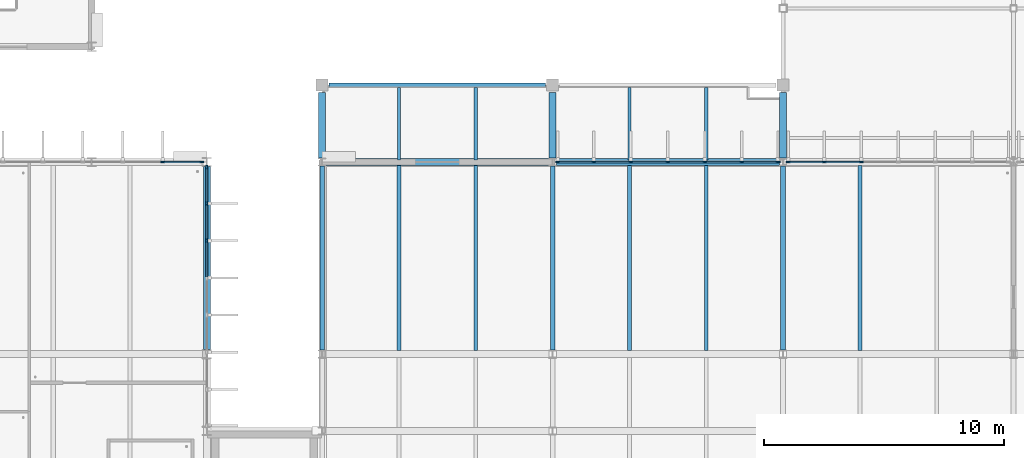
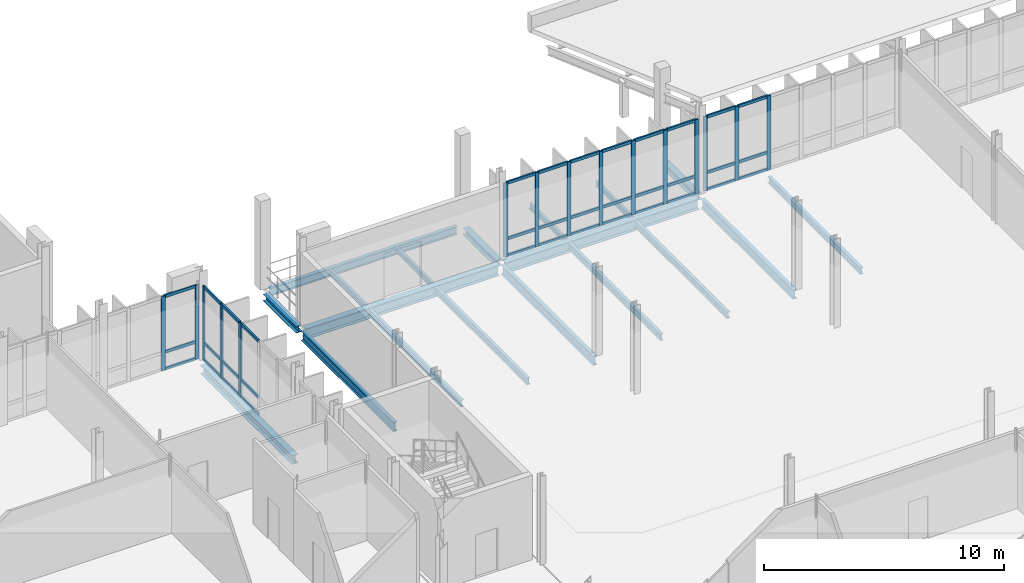
# One storey, part 24 of 107: 51 members, 19 beams, 4 elements without a shape of their own.
"""IFC4 building model written with IfcOpenShell, lengths in metres."""

from ifc_helpers import new_model, si_unit, direction, frame, origin, origin_2d, place, context, subcontext, project, spatial, rectangle, i_section, extrude, material, material_profile, profile_set, type_object, element, aggregate, save


model = new_model("IFC4")

# Units and contexts
model_context = context("Model", 3, precision=1e-05, world=origin(), true_north=direction((0.0, 1.0)))
body_context = subcontext(model_context, "Body", "Model", "MODEL_VIEW")
ifc_project = project(units=[si_unit("LENGTHUNIT", "METRE"), si_unit("AREAUNIT", "SQUARE_METRE"), si_unit("VOLUMEUNIT", "CUBIC_METRE"), si_unit("PLANEANGLEUNIT", "RADIAN"), si_unit("MASSUNIT", "GRAM", prefix="KILO")], contexts=[model_context])

# Site, building, storey
site_placement = place(None, origin())
site = spatial("IfcSite", under=ifc_project, at=site_placement, CompositionType="ELEMENT")
building_placement = place(site_placement, origin())
building = spatial("IfcBuilding", under=site, at=building_placement, Name="Dunescarp Central Library", CompositionType="ELEMENT")
storey_placement = place(building_placement, frame((0.0, 0.0, 5.10009765625)))
storey = spatial("IfcBuildingStorey", under=building, at=storey_placement, Name="L01", CompositionType="ELEMENT", Elevation=5.10009765625)

# Curtain wall, members
ifc_material_1 = material(Name="Marine-grade anodised aluminium 6063-T6", Category="aluminium")
curtain_wall_type = type_object("IfcCurtainWallType", Name="ARC-CW-STICK", PredefinedType="NOTDEFINED", material=ifc_material_1)
curtain_wall_1_placement = place(storey_placement, origin())
curtain_wall_1 = element("IfcCurtainWall", 1, at=curtain_wall_1_placement, inside=storey, type_object=curtain_wall_type, Name="L01 curtain wall CW-V1-008", PredefinedType="NOTDEFINED")
ifc_material_profile_1 = material_profile(ifc_material_1, rectangle(XDim=0.080078125, YDim=0.179931640625, at=origin_2d()), Name="AL 80x180")
ifc_profile_set_1 = profile_set([ifc_material_profile_1], Name="Marine-grade anodised aluminium 6063-T6")
member_type_1 = type_object("IfcMemberType", Name="ARC-CWM-180", PredefinedType="MULLION", material=ifc_profile_set_1)
member_1_placement = place(storey_placement, frame((31.7607421875, 36.800048828125, 0.0), z_axis=(0.0, 0.0, 1.0), x_axis=(0.0, 1.0, 0.0)))
member_1 = element("IfcMember", 2, at=member_1_placement, type_object=member_type_1, Name="CW-V1-008 mullion 7", PredefinedType="MULLION", context=body_context, shape_type="SweptSolid", body=[
    extrude(rectangle(XDim=0.080078125, YDim=0.179931640625, at=origin_2d()), origin(), (0.0, 0.0, 1.0), 3.764892578125),
])
member_2_placement = place(storey_placement, frame((33.385009765625, 36.800048828125, 0.0), z_axis=(0.0, 0.0, 1.0), x_axis=(0.0, 1.0, 0.0)))
member_2 = element("IfcMember", 3, at=member_2_placement, type_object=member_type_1, Name="CW-V1-008 mullion 8", PredefinedType="MULLION", context=body_context, shape_type="SweptSolid", body=[
    extrude(rectangle(XDim=0.080078125, YDim=0.179931640625, at=origin_2d()), origin(), (0.0, 0.0, 1.0), 3.764892578125),
])

curtain_wall_2_placement = place(storey_placement, origin())
curtain_wall_2 = element("IfcCurtainWall", 4, at=curtain_wall_2_placement, inside=storey, type_object=curtain_wall_type, Name="L01 curtain wall CW-V1-011", PredefinedType="NOTDEFINED")
member_3_placement = place(storey_placement, frame((33.60009765625, 36.5849609375, 0.0), z_axis=(0.0, 0.0, 1.0), x_axis=(1.0, 0.0, 0.0)))
member_3 = element("IfcMember", 5, at=member_3_placement, type_object=member_type_1, Name="CW-V1-011 mullion 1", PredefinedType="MULLION", context=body_context, shape_type="SweptSolid", body=[
    extrude(rectangle(XDim=0.080078125, YDim=0.179931640625, at=origin_2d()), origin(), (0.0, 0.0, 1.0), 3.764892578125),
])
member_4_placement = place(storey_placement, frame((33.60009765625, 35.074951171875, 0.0), z_axis=(0.0, 0.0, 1.0), x_axis=(1.0, 0.0, 0.0)))
member_4 = element("IfcMember", 6, at=member_4_placement, type_object=member_type_1, Name="CW-V1-011 mullion 2", PredefinedType="MULLION", context=body_context, shape_type="SweptSolid", body=[
    extrude(rectangle(XDim=0.080078125, YDim=0.179931640625, at=origin_2d()), origin(), (0.0, 0.0, 1.0), 3.764892578125),
])
member_5_placement = place(storey_placement, frame((33.60009765625, 33.52490234375, 0.0), z_axis=(0.0, 0.0, 1.0), x_axis=(1.0, 0.0, 0.0)))
member_5 = element("IfcMember", 7, at=member_5_placement, type_object=member_type_1, Name="CW-V1-011 mullion 3", PredefinedType="MULLION", context=body_context, shape_type="SweptSolid", body=[
    extrude(rectangle(XDim=0.080078125, YDim=0.179931640625, at=origin_2d()), origin(), (0.0, 0.0, 1.0), 3.764892578125),
])

curtain_wall_3_placement = place(storey_placement, origin())
curtain_wall_3 = element("IfcCurtainWall", 8, at=curtain_wall_3_placement, inside=storey, type_object=curtain_wall_type, Name="L01 curtain wall CW-V2-051", PredefinedType="NOTDEFINED")
member_6_placement = place(storey_placement, frame((48.215087890625, 36.800048828125, 0.0), z_axis=(0.0, 0.0, 1.0), x_axis=(0.0, 1.0, 0.0)))
member_6 = element("IfcMember", 9, at=member_6_placement, type_object=member_type_1, Name="CW-V2-051 mullion 1", PredefinedType="MULLION", context=body_context, shape_type="SweptSolid", body=[
    extrude(rectangle(XDim=0.080078125, YDim=0.179931640625, at=origin_2d()), origin(), (0.0, 0.0, 1.0), 3.764892578125),
])
member_7_placement = place(storey_placement, frame((49.716552734375, 36.800048828125, 0.0), z_axis=(0.0, 0.0, 1.0), x_axis=(0.0, 1.0, 0.0)))
member_7 = element("IfcMember", 10, at=member_7_placement, type_object=member_type_1, Name="CW-V2-051 mullion 2", PredefinedType="MULLION", context=body_context, shape_type="SweptSolid", body=[
    extrude(rectangle(XDim=0.080078125, YDim=0.179931640625, at=origin_2d()), origin(), (0.0, 0.0, 1.0), 3.764892578125),
])
member_8_placement = place(storey_placement, frame((51.25830078125, 36.800048828125, 0.0), z_axis=(0.0, 0.0, 1.0), x_axis=(0.0, 1.0, 0.0)))
member_8 = element("IfcMember", 11, at=member_8_placement, type_object=member_type_1, Name="CW-V2-051 mullion 3", PredefinedType="MULLION", context=body_context, shape_type="SweptSolid", body=[
    extrude(rectangle(XDim=0.080078125, YDim=0.179931640625, at=origin_2d()), origin(), (0.0, 0.0, 1.0), 3.764892578125),
])
member_9_placement = place(storey_placement, frame((52.800048828125, 36.800048828125, 0.0), z_axis=(0.0, 0.0, 1.0), x_axis=(0.0, 1.0, 0.0)))
member_9 = element("IfcMember", 12, at=member_9_placement, type_object=member_type_1, Name="CW-V2-051 mullion 4", PredefinedType="MULLION", context=body_context, shape_type="SweptSolid", body=[
    extrude(rectangle(XDim=0.080078125, YDim=0.179931640625, at=origin_2d()), origin(), (0.0, 0.0, 1.0), 3.764892578125),
])
member_10_placement = place(storey_placement, frame((54.341552734375, 36.800048828125, 0.0), z_axis=(0.0, 0.0, 1.0), x_axis=(0.0, 1.0, 0.0)))
member_10 = element("IfcMember", 13, at=member_10_placement, type_object=member_type_1, Name="CW-V2-051 mullion 5", PredefinedType="MULLION", context=body_context, shape_type="SweptSolid", body=[
    extrude(rectangle(XDim=0.080078125, YDim=0.179931640625, at=origin_2d()), origin(), (0.0, 0.0, 1.0), 3.764892578125),
])
member_11_placement = place(storey_placement, frame((55.88330078125, 36.800048828125, 0.0), z_axis=(0.0, 0.0, 1.0), x_axis=(0.0, 1.0, 0.0)))
member_11 = element("IfcMember", 14, at=member_11_placement, type_object=member_type_1, Name="CW-V2-051 mullion 6", PredefinedType="MULLION", context=body_context, shape_type="SweptSolid", body=[
    extrude(rectangle(XDim=0.080078125, YDim=0.179931640625, at=origin_2d()), origin(), (0.0, 0.0, 1.0), 3.764892578125),
])
member_12_placement = place(storey_placement, frame((57.385009765625, 36.800048828125, 0.0), z_axis=(0.0, 0.0, 1.0), x_axis=(0.0, 1.0, 0.0)))
member_12 = element("IfcMember", 15, at=member_12_placement, type_object=member_type_1, Name="CW-V2-051 mullion 7", PredefinedType="MULLION", context=body_context, shape_type="SweptSolid", body=[
    extrude(rectangle(XDim=0.080078125, YDim=0.179931640625, at=origin_2d()), origin(), (0.0, 0.0, 1.0), 3.764892578125),
])

curtain_wall_4_placement = place(storey_placement, origin())
curtain_wall_4 = element("IfcCurtainWall", 16, at=curtain_wall_4_placement, inside=storey, type_object=curtain_wall_type, Name="L01 curtain wall CW-V2-052", PredefinedType="NOTDEFINED")
member_13_placement = place(storey_placement, frame((57.81494140625, 36.800048828125, 0.0), z_axis=(0.0, 0.0, 1.0), x_axis=(0.0, 1.0, 0.0)))
member_13 = element("IfcMember", 17, at=member_13_placement, type_object=member_type_1, Name="CW-V2-052 mullion 1", PredefinedType="MULLION", context=body_context, shape_type="SweptSolid", body=[
    extrude(rectangle(XDim=0.080078125, YDim=0.179931640625, at=origin_2d()), origin(), (0.0, 0.0, 1.0), 3.764892578125),
])
member_14_placement = place(storey_placement, frame((59.316650390625, 36.800048828125, 0.0), z_axis=(0.0, 0.0, 1.0), x_axis=(0.0, 1.0, 0.0)))
member_14 = element("IfcMember", 18, at=member_14_placement, type_object=member_type_1, Name="CW-V2-052 mullion 2", PredefinedType="MULLION", context=body_context, shape_type="SweptSolid", body=[
    extrude(rectangle(XDim=0.080078125, YDim=0.179931640625, at=origin_2d()), origin(), (0.0, 0.0, 1.0), 3.764892578125),
])
member_15_placement = place(storey_placement, frame((60.8583984375, 36.800048828125, 0.0), z_axis=(0.0, 0.0, 1.0), x_axis=(0.0, 1.0, 0.0)))
member_15 = element("IfcMember", 19, at=member_15_placement, type_object=member_type_1, Name="CW-V2-052 mullion 3", PredefinedType="MULLION", context=body_context, shape_type="SweptSolid", body=[
    extrude(rectangle(XDim=0.080078125, YDim=0.179931640625, at=origin_2d()), origin(), (0.0, 0.0, 1.0), 3.764892578125),
])

# Member
ifc_material_profile_2 = material_profile(ifc_material_1, rectangle(XDim=0.080078125, YDim=0.14990234375, at=origin_2d()), Name="AL 80x150")
ifc_profile_set_2 = profile_set([ifc_material_profile_2], Name="Marine-grade anodised aluminium 6063-T6")
member_type_2 = type_object("IfcMemberType", Name="ARC-CWT-150", PredefinedType="USERDEFINED", material=ifc_profile_set_2)
member_16_placement = place(storey_placement, frame((31.80078125, 36.800048828125, 0.039794921875), z_axis=(1.0, 0.0, 0.0), x_axis=(0.0, 1.0, 0.0)))
member_16 = element("IfcMember", 20, at=member_16_placement, type_object=member_type_2, Name="CW-V1-008 transom 7.1", ObjectType="TRANSOM", PredefinedType="USERDEFINED", context=body_context, shape_type="SweptSolid", body=[
    extrude(rectangle(XDim=0.080078125, YDim=0.14990234375, at=origin_2d()), origin(), (0.0, 0.0, 1.0), 1.544189453125),
])

member_17_placement = place(storey_placement, frame((31.80078125, 36.800048828125, 0.89990234375), z_axis=(1.0, 0.0, 0.0), x_axis=(0.0, 1.0, 0.0)))
member_17 = element("IfcMember", 21, at=member_17_placement, type_object=member_type_2, Name="CW-V1-008 transom 7.2", ObjectType="TRANSOM", PredefinedType="USERDEFINED", context=body_context, shape_type="SweptSolid", body=[
    extrude(rectangle(XDim=0.080078125, YDim=0.14990234375, at=origin_2d()), origin(), (0.0, 0.0, 1.0), 1.544189453125),
])

member_18_placement = place(storey_placement, frame((31.80078125, 36.800048828125, 3.724853515625), z_axis=(1.0, 0.0, 0.0), x_axis=(0.0, 1.0, 0.0)))
member_18 = element("IfcMember", 22, at=member_18_placement, type_object=member_type_2, Name="CW-V1-008 transom 7.3", ObjectType="TRANSOM", PredefinedType="USERDEFINED", context=body_context, shape_type="SweptSolid", body=[
    extrude(rectangle(XDim=0.080078125, YDim=0.14990234375, at=origin_2d()), origin(), (0.0, 0.0, 1.0), 1.544189453125),
])

aggregate(curtain_wall_1, [member_1, member_2, member_16, member_17, member_18])

member_19_placement = place(storey_placement, frame((33.60009765625, 36.544921875, 0.039794921875), z_axis=(0.0, -1.0, 0.0), x_axis=(1.0, 0.0, 0.0)))
member_19 = element("IfcMember", 23, at=member_19_placement, type_object=member_type_2, Name="CW-V1-011 transom 1.1", ObjectType="TRANSOM", PredefinedType="USERDEFINED", context=body_context, shape_type="SweptSolid", body=[
    extrude(rectangle(XDim=0.080078125, YDim=0.14990234375, at=origin_2d()), origin(), (0.0, 0.0, 1.0), 1.429931640625),
])

member_20_placement = place(storey_placement, frame((33.60009765625, 36.544921875, 0.89990234375), z_axis=(0.0, -1.0, 0.0), x_axis=(1.0, 0.0, 0.0)))
member_20 = element("IfcMember", 24, at=member_20_placement, type_object=member_type_2, Name="CW-V1-011 transom 1.2", ObjectType="TRANSOM", PredefinedType="USERDEFINED", context=body_context, shape_type="SweptSolid", body=[
    extrude(rectangle(XDim=0.080078125, YDim=0.14990234375, at=origin_2d()), origin(), (0.0, 0.0, 1.0), 1.429931640625),
])

member_21_placement = place(storey_placement, frame((33.60009765625, 36.544921875, 3.724853515625), z_axis=(0.0, -1.0, 0.0), x_axis=(1.0, 0.0, 0.0)))
member_21 = element("IfcMember", 25, at=member_21_placement, type_object=member_type_2, Name="CW-V1-011 transom 1.3", ObjectType="TRANSOM", PredefinedType="USERDEFINED", context=body_context, shape_type="SweptSolid", body=[
    extrude(rectangle(XDim=0.080078125, YDim=0.14990234375, at=origin_2d()), origin(), (0.0, 0.0, 1.0), 1.429931640625),
])

member_22_placement = place(storey_placement, frame((33.60009765625, 35.034912109375, 0.039794921875), z_axis=(0.0, -1.0, 0.0), x_axis=(1.0, 0.0, 0.0)))
member_22 = element("IfcMember", 26, at=member_22_placement, type_object=member_type_2, Name="CW-V1-011 transom 2.1", ObjectType="TRANSOM", PredefinedType="USERDEFINED", context=body_context, shape_type="SweptSolid", body=[
    extrude(rectangle(XDim=0.080078125, YDim=0.14990234375, at=origin_2d()), origin(), (0.0, 0.0, 1.0), 1.469970703125),
])

member_23_placement = place(storey_placement, frame((33.60009765625, 35.034912109375, 0.89990234375), z_axis=(0.0, -1.0, 0.0), x_axis=(1.0, 0.0, 0.0)))
member_23 = element("IfcMember", 27, at=member_23_placement, type_object=member_type_2, Name="CW-V1-011 transom 2.2", ObjectType="TRANSOM", PredefinedType="USERDEFINED", context=body_context, shape_type="SweptSolid", body=[
    extrude(rectangle(XDim=0.080078125, YDim=0.14990234375, at=origin_2d()), origin(), (0.0, 0.0, 1.0), 1.469970703125),
])

member_24_placement = place(storey_placement, frame((33.60009765625, 35.034912109375, 3.724853515625), z_axis=(0.0, -1.0, 0.0), x_axis=(1.0, 0.0, 0.0)))
member_24 = element("IfcMember", 28, at=member_24_placement, type_object=member_type_2, Name="CW-V1-011 transom 2.3", ObjectType="TRANSOM", PredefinedType="USERDEFINED", context=body_context, shape_type="SweptSolid", body=[
    extrude(rectangle(XDim=0.080078125, YDim=0.14990234375, at=origin_2d()), origin(), (0.0, 0.0, 1.0), 1.469970703125),
])

member_25_placement = place(storey_placement, frame((33.60009765625, 33.485107421875, 0.039794921875), z_axis=(0.0, -1.0, 0.0), x_axis=(1.0, 0.0, 0.0)))
member_25 = element("IfcMember", 29, at=member_25_placement, type_object=member_type_2, Name="CW-V1-011 transom 3.1", ObjectType="TRANSOM", PredefinedType="USERDEFINED", context=body_context, shape_type="SweptSolid", body=[
    extrude(rectangle(XDim=0.080078125, YDim=0.14990234375, at=origin_2d()), origin(), (0.0, 0.0, 1.0), 1.47021484375),
])

member_26_placement = place(storey_placement, frame((33.60009765625, 33.485107421875, 0.89990234375), z_axis=(0.0, -1.0, 0.0), x_axis=(1.0, 0.0, 0.0)))
member_26 = element("IfcMember", 30, at=member_26_placement, type_object=member_type_2, Name="CW-V1-011 transom 3.2", ObjectType="TRANSOM", PredefinedType="USERDEFINED", context=body_context, shape_type="SweptSolid", body=[
    extrude(rectangle(XDim=0.080078125, YDim=0.14990234375, at=origin_2d()), origin(), (0.0, 0.0, 1.0), 1.47021484375),
])

member_27_placement = place(storey_placement, frame((33.60009765625, 33.485107421875, 3.724853515625), z_axis=(0.0, -1.0, 0.0), x_axis=(1.0, 0.0, 0.0)))
member_27 = element("IfcMember", 31, at=member_27_placement, type_object=member_type_2, Name="CW-V1-011 transom 3.3", ObjectType="TRANSOM", PredefinedType="USERDEFINED", context=body_context, shape_type="SweptSolid", body=[
    extrude(rectangle(XDim=0.080078125, YDim=0.14990234375, at=origin_2d()), origin(), (0.0, 0.0, 1.0), 1.47021484375),
])

aggregate(curtain_wall_2, [member_3, member_4, member_5, member_19, member_20, member_21, member_22, member_23, member_24, member_25, member_26, member_27])

member_28_placement = place(storey_placement, frame((48.2548828125, 36.800048828125, 0.039794921875), z_axis=(1.0, 0.0, 0.0), x_axis=(0.0, 1.0, 0.0)))
member_28 = element("IfcMember", 32, at=member_28_placement, type_object=member_type_2, Name="CW-V2-051 transom 1.1", ObjectType="TRANSOM", PredefinedType="USERDEFINED", context=body_context, shape_type="SweptSolid", body=[
    extrude(rectangle(XDim=0.080078125, YDim=0.14990234375, at=origin_2d()), origin(), (0.0, 0.0, 1.0), 1.421875),
])

member_29_placement = place(storey_placement, frame((48.2548828125, 36.800048828125, 0.89990234375), z_axis=(1.0, 0.0, 0.0), x_axis=(0.0, 1.0, 0.0)))
member_29 = element("IfcMember", 33, at=member_29_placement, type_object=member_type_2, Name="CW-V2-051 transom 1.2", ObjectType="TRANSOM", PredefinedType="USERDEFINED", context=body_context, shape_type="SweptSolid", body=[
    extrude(rectangle(XDim=0.080078125, YDim=0.14990234375, at=origin_2d()), origin(), (0.0, 0.0, 1.0), 1.421875),
])

member_30_placement = place(storey_placement, frame((48.2548828125, 36.800048828125, 3.724853515625), z_axis=(1.0, 0.0, 0.0), x_axis=(0.0, 1.0, 0.0)))
member_30 = element("IfcMember", 34, at=member_30_placement, type_object=member_type_2, Name="CW-V2-051 transom 1.3", ObjectType="TRANSOM", PredefinedType="USERDEFINED", context=body_context, shape_type="SweptSolid", body=[
    extrude(rectangle(XDim=0.080078125, YDim=0.14990234375, at=origin_2d()), origin(), (0.0, 0.0, 1.0), 1.421875),
])

member_31_placement = place(storey_placement, frame((49.756591796875, 36.800048828125, 0.039794921875), z_axis=(1.0, 0.0, 0.0), x_axis=(0.0, 1.0, 0.0)))
member_31 = element("IfcMember", 35, at=member_31_placement, type_object=member_type_2, Name="CW-V2-051 transom 2.1", ObjectType="TRANSOM", PredefinedType="USERDEFINED", context=body_context, shape_type="SweptSolid", body=[
    extrude(rectangle(XDim=0.080078125, YDim=0.14990234375, at=origin_2d()), origin(), (0.0, 0.0, 1.0), 1.461669921875),
])

member_32_placement = place(storey_placement, frame((49.756591796875, 36.800048828125, 0.89990234375), z_axis=(1.0, 0.0, 0.0), x_axis=(0.0, 1.0, 0.0)))
member_32 = element("IfcMember", 36, at=member_32_placement, type_object=member_type_2, Name="CW-V2-051 transom 2.2", ObjectType="TRANSOM", PredefinedType="USERDEFINED", context=body_context, shape_type="SweptSolid", body=[
    extrude(rectangle(XDim=0.080078125, YDim=0.14990234375, at=origin_2d()), origin(), (0.0, 0.0, 1.0), 1.461669921875),
])

member_33_placement = place(storey_placement, frame((49.756591796875, 36.800048828125, 3.724853515625), z_axis=(1.0, 0.0, 0.0), x_axis=(0.0, 1.0, 0.0)))
member_33 = element("IfcMember", 37, at=member_33_placement, type_object=member_type_2, Name="CW-V2-051 transom 2.3", ObjectType="TRANSOM", PredefinedType="USERDEFINED", context=body_context, shape_type="SweptSolid", body=[
    extrude(rectangle(XDim=0.080078125, YDim=0.14990234375, at=origin_2d()), origin(), (0.0, 0.0, 1.0), 1.461669921875),
])

member_34_placement = place(storey_placement, frame((51.29833984375, 36.800048828125, 0.039794921875), z_axis=(1.0, 0.0, 0.0), x_axis=(0.0, 1.0, 0.0)))
member_34 = element("IfcMember", 38, at=member_34_placement, type_object=member_type_2, Name="CW-V2-051 transom 3.1", ObjectType="TRANSOM", PredefinedType="USERDEFINED", context=body_context, shape_type="SweptSolid", body=[
    extrude(rectangle(XDim=0.080078125, YDim=0.14990234375, at=origin_2d()), origin(), (0.0, 0.0, 1.0), 1.461669921875),
])

member_35_placement = place(storey_placement, frame((51.29833984375, 36.800048828125, 0.89990234375), z_axis=(1.0, 0.0, 0.0), x_axis=(0.0, 1.0, 0.0)))
member_35 = element("IfcMember", 39, at=member_35_placement, type_object=member_type_2, Name="CW-V2-051 transom 3.2", ObjectType="TRANSOM", PredefinedType="USERDEFINED", context=body_context, shape_type="SweptSolid", body=[
    extrude(rectangle(XDim=0.080078125, YDim=0.14990234375, at=origin_2d()), origin(), (0.0, 0.0, 1.0), 1.461669921875),
])

member_36_placement = place(storey_placement, frame((51.29833984375, 36.800048828125, 3.724853515625), z_axis=(1.0, 0.0, 0.0), x_axis=(0.0, 1.0, 0.0)))
member_36 = element("IfcMember", 40, at=member_36_placement, type_object=member_type_2, Name="CW-V2-051 transom 3.3", ObjectType="TRANSOM", PredefinedType="USERDEFINED", context=body_context, shape_type="SweptSolid", body=[
    extrude(rectangle(XDim=0.080078125, YDim=0.14990234375, at=origin_2d()), origin(), (0.0, 0.0, 1.0), 1.461669921875),
])

member_37_placement = place(storey_placement, frame((52.840087890625, 36.800048828125, 0.039794921875), z_axis=(1.0, 0.0, 0.0), x_axis=(0.0, 1.0, 0.0)))
member_37 = element("IfcMember", 41, at=member_37_placement, type_object=member_type_2, Name="CW-V2-051 transom 4.1", ObjectType="TRANSOM", PredefinedType="USERDEFINED", context=body_context, shape_type="SweptSolid", body=[
    extrude(rectangle(XDim=0.080078125, YDim=0.14990234375, at=origin_2d()), origin(), (0.0, 0.0, 1.0), 1.461669921875),
])

member_38_placement = place(storey_placement, frame((52.840087890625, 36.800048828125, 0.89990234375), z_axis=(1.0, 0.0, 0.0), x_axis=(0.0, 1.0, 0.0)))
member_38 = element("IfcMember", 42, at=member_38_placement, type_object=member_type_2, Name="CW-V2-051 transom 4.2", ObjectType="TRANSOM", PredefinedType="USERDEFINED", context=body_context, shape_type="SweptSolid", body=[
    extrude(rectangle(XDim=0.080078125, YDim=0.14990234375, at=origin_2d()), origin(), (0.0, 0.0, 1.0), 1.461669921875),
])

member_39_placement = place(storey_placement, frame((52.840087890625, 36.800048828125, 3.724853515625), z_axis=(1.0, 0.0, 0.0), x_axis=(0.0, 1.0, 0.0)))
member_39 = element("IfcMember", 43, at=member_39_placement, type_object=member_type_2, Name="CW-V2-051 transom 4.3", ObjectType="TRANSOM", PredefinedType="USERDEFINED", context=body_context, shape_type="SweptSolid", body=[
    extrude(rectangle(XDim=0.080078125, YDim=0.14990234375, at=origin_2d()), origin(), (0.0, 0.0, 1.0), 1.461669921875),
])

member_40_placement = place(storey_placement, frame((54.381591796875, 36.800048828125, 0.039794921875), z_axis=(1.0, 0.0, 0.0), x_axis=(0.0, 1.0, 0.0)))
member_40 = element("IfcMember", 44, at=member_40_placement, type_object=member_type_2, Name="CW-V2-051 transom 5.1", ObjectType="TRANSOM", PredefinedType="USERDEFINED", context=body_context, shape_type="SweptSolid", body=[
    extrude(rectangle(XDim=0.080078125, YDim=0.14990234375, at=origin_2d()), origin(), (0.0, 0.0, 1.0), 1.461669921875),
])

member_41_placement = place(storey_placement, frame((54.381591796875, 36.800048828125, 0.89990234375), z_axis=(1.0, 0.0, 0.0), x_axis=(0.0, 1.0, 0.0)))
member_41 = element("IfcMember", 45, at=member_41_placement, type_object=member_type_2, Name="CW-V2-051 transom 5.2", ObjectType="TRANSOM", PredefinedType="USERDEFINED", context=body_context, shape_type="SweptSolid", body=[
    extrude(rectangle(XDim=0.080078125, YDim=0.14990234375, at=origin_2d()), origin(), (0.0, 0.0, 1.0), 1.461669921875),
])

member_42_placement = place(storey_placement, frame((54.381591796875, 36.800048828125, 3.724853515625), z_axis=(1.0, 0.0, 0.0), x_axis=(0.0, 1.0, 0.0)))
member_42 = element("IfcMember", 46, at=member_42_placement, type_object=member_type_2, Name="CW-V2-051 transom 5.3", ObjectType="TRANSOM", PredefinedType="USERDEFINED", context=body_context, shape_type="SweptSolid", body=[
    extrude(rectangle(XDim=0.080078125, YDim=0.14990234375, at=origin_2d()), origin(), (0.0, 0.0, 1.0), 1.461669921875),
])

member_43_placement = place(storey_placement, frame((55.92333984375, 36.800048828125, 0.039794921875), z_axis=(1.0, 0.0, 0.0), x_axis=(0.0, 1.0, 0.0)))
member_43 = element("IfcMember", 47, at=member_43_placement, type_object=member_type_2, Name="CW-V2-051 transom 6.1", ObjectType="TRANSOM", PredefinedType="USERDEFINED", context=body_context, shape_type="SweptSolid", body=[
    extrude(rectangle(XDim=0.080078125, YDim=0.14990234375, at=origin_2d()), origin(), (0.0, 0.0, 1.0), 1.421630859375),
])

member_44_placement = place(storey_placement, frame((55.92333984375, 36.800048828125, 0.89990234375), z_axis=(1.0, 0.0, 0.0), x_axis=(0.0, 1.0, 0.0)))
member_44 = element("IfcMember", 48, at=member_44_placement, type_object=member_type_2, Name="CW-V2-051 transom 6.2", ObjectType="TRANSOM", PredefinedType="USERDEFINED", context=body_context, shape_type="SweptSolid", body=[
    extrude(rectangle(XDim=0.080078125, YDim=0.14990234375, at=origin_2d()), origin(), (0.0, 0.0, 1.0), 1.421630859375),
])

member_45_placement = place(storey_placement, frame((55.92333984375, 36.800048828125, 3.724853515625), z_axis=(1.0, 0.0, 0.0), x_axis=(0.0, 1.0, 0.0)))
member_45 = element("IfcMember", 49, at=member_45_placement, type_object=member_type_2, Name="CW-V2-051 transom 6.3", ObjectType="TRANSOM", PredefinedType="USERDEFINED", context=body_context, shape_type="SweptSolid", body=[
    extrude(rectangle(XDim=0.080078125, YDim=0.14990234375, at=origin_2d()), origin(), (0.0, 0.0, 1.0), 1.421630859375),
])

aggregate(curtain_wall_3, [member_6, member_7, member_8, member_9, member_10, member_11, member_12, member_28, member_29, member_30, member_31, member_32, member_33, member_34, member_35, member_36, member_37, member_38, member_39, member_40, member_41, member_42, member_43, member_44, member_45])

member_46_placement = place(storey_placement, frame((57.85498046875, 36.800048828125, 0.039794921875), z_axis=(1.0, 0.0, 0.0), x_axis=(0.0, 1.0, 0.0)))
member_46 = element("IfcMember", 50, at=member_46_placement, type_object=member_type_2, Name="CW-V2-052 transom 1.1", ObjectType="TRANSOM", PredefinedType="USERDEFINED", context=body_context, shape_type="SweptSolid", body=[
    extrude(rectangle(XDim=0.080078125, YDim=0.14990234375, at=origin_2d()), origin(), (0.0, 0.0, 1.0), 1.421630859375),
])

member_47_placement = place(storey_placement, frame((57.85498046875, 36.800048828125, 0.89990234375), z_axis=(1.0, 0.0, 0.0), x_axis=(0.0, 1.0, 0.0)))
member_47 = element("IfcMember", 51, at=member_47_placement, type_object=member_type_2, Name="CW-V2-052 transom 1.2", ObjectType="TRANSOM", PredefinedType="USERDEFINED", context=body_context, shape_type="SweptSolid", body=[
    extrude(rectangle(XDim=0.080078125, YDim=0.14990234375, at=origin_2d()), origin(), (0.0, 0.0, 1.0), 1.421630859375),
])

member_48_placement = place(storey_placement, frame((57.85498046875, 36.800048828125, 3.724853515625), z_axis=(1.0, 0.0, 0.0), x_axis=(0.0, 1.0, 0.0)))
member_48 = element("IfcMember", 52, at=member_48_placement, type_object=member_type_2, Name="CW-V2-052 transom 1.3", ObjectType="TRANSOM", PredefinedType="USERDEFINED", context=body_context, shape_type="SweptSolid", body=[
    extrude(rectangle(XDim=0.080078125, YDim=0.14990234375, at=origin_2d()), origin(), (0.0, 0.0, 1.0), 1.421630859375),
])

member_49_placement = place(storey_placement, frame((59.356689453125, 36.800048828125, 0.039794921875), z_axis=(1.0, 0.0, 0.0), x_axis=(0.0, 1.0, 0.0)))
member_49 = element("IfcMember", 53, at=member_49_placement, type_object=member_type_2, Name="CW-V2-052 transom 2.1", ObjectType="TRANSOM", PredefinedType="USERDEFINED", context=body_context, shape_type="SweptSolid", body=[
    extrude(rectangle(XDim=0.080078125, YDim=0.14990234375, at=origin_2d()), origin(), (0.0, 0.0, 1.0), 1.461669921875),
])

member_50_placement = place(storey_placement, frame((59.356689453125, 36.800048828125, 0.89990234375), z_axis=(1.0, 0.0, 0.0), x_axis=(0.0, 1.0, 0.0)))
member_50 = element("IfcMember", 54, at=member_50_placement, type_object=member_type_2, Name="CW-V2-052 transom 2.2", ObjectType="TRANSOM", PredefinedType="USERDEFINED", context=body_context, shape_type="SweptSolid", body=[
    extrude(rectangle(XDim=0.080078125, YDim=0.14990234375, at=origin_2d()), origin(), (0.0, 0.0, 1.0), 1.461669921875),
])

member_51_placement = place(storey_placement, frame((59.356689453125, 36.800048828125, 3.724853515625), z_axis=(1.0, 0.0, 0.0), x_axis=(0.0, 1.0, 0.0)))
member_51 = element("IfcMember", 55, at=member_51_placement, type_object=member_type_2, Name="CW-V2-052 transom 2.3", ObjectType="TRANSOM", PredefinedType="USERDEFINED", context=body_context, shape_type="SweptSolid", body=[
    extrude(rectangle(XDim=0.080078125, YDim=0.14990234375, at=origin_2d()), origin(), (0.0, 0.0, 1.0), 1.461669921875),
])

aggregate(curtain_wall_4, [member_13, member_14, member_15, member_46, member_47, member_48, member_49, member_50, member_51])

# Beams
ifc_material_2 = material(Name="Steel S355JR", Category="steel")
ifc_material_profile_3 = material_profile(ifc_material_2, i_section(OverallWidth=0.300048828125, OverallDepth=0.330078125, WebThickness=0.009521484375, FlangeThickness=0.0166015625, at=origin_2d()), Name="HEA 340")
ifc_profile_set_3 = profile_set([ifc_material_profile_3], Name="Steel S355JR")
beam_type_1 = type_object("IfcBeamType", Name="STR-BM-HEA340", PredefinedType="BEAM", material=ifc_profile_set_3)
for number, where, z_axis, x_axis, name in (
    (56, (38.39990234375, 36.967041015625, -0.35498046875), (0.0, 1.0, 0.0), (-1.0, 0.0, 0.0), "L01 girder BM-L01-1484"),
    (57, (48.0, 36.967041015625, -0.35498046875), (0.0, 1.0, 0.0), (-1.0, 0.0, 0.0), "L01 girder BM-L01-1485"),
    (58, (57.60009765625, 36.967041015625, -0.35498046875), (0.0, 1.0, 0.0), (-1.0, 0.0, 0.0), "L01 girder BM-L01-1489"),
):
    element("IfcBeam", number, at=place(storey_placement, frame(where, z_axis=z_axis, x_axis=x_axis)), inside=storey, type_object=beam_type_1, Name=name, PredefinedType="BEAM", context=body_context, shape_type="SweptSolid", body=[
        extrude(i_section(OverallWidth=0.300048828125, OverallDepth=0.330078125, WebThickness=0.009521484375, FlangeThickness=0.0166015625, at=origin_2d()), origin(), (0.0, 0.0, 1.0), 2.73583984375),
    ])
ifc_material_profile_4 = material_profile(ifc_material_2, i_section(OverallWidth=0.300048828125, OverallDepth=0.449951171875, WebThickness=0.013916015625, FlangeThickness=0.02587890625, at=origin_2d()), Name="HEB 450")
ifc_profile_set_4 = profile_set([ifc_material_profile_4], Name="Steel S355JR")
beam_type_2 = type_object("IfcBeamType", Name="STR-BM-HEB450", PredefinedType="BEAM", material=ifc_profile_set_4)
beam_1_placement = place(storey_placement, frame((33.60009765625, 28.98388671875, -0.445068359375), z_axis=(0.0, 1.0, 0.0), x_axis=(-1.0, 0.0, 0.0)))
element("IfcBeam", 59, at=beam_1_placement, inside=storey, type_object=beam_type_2, Name="L01 girder BM-L01-0053", PredefinedType="BEAM", context=body_context, shape_type="SweptSolid", body=[
    extrude(i_section(OverallWidth=0.300048828125, OverallDepth=0.449951171875, WebThickness=0.013916015625, FlangeThickness=0.02587890625, at=origin_2d()), origin(), (0.0, 0.0, 1.0), 7.628173828125),
])
ifc_material_profile_5 = material_profile(ifc_material_2, i_section(OverallWidth=0.19287109375, OverallDepth=0.46728515625, WebThickness=0.011474609375, FlangeThickness=0.01953125, at=origin_2d()), Name="UB 457x191x98")
ifc_profile_set_5 = profile_set([ifc_material_profile_5], Name="Steel S355JR")
beam_type_3 = type_object("IfcBeamType", Name="STR-BM-IPE450", PredefinedType="BEAM", material=ifc_profile_set_5)
for number, where, z_axis, x_axis, name in (
    (60, (38.39990234375, 28.9609375, -0.4541015625), (0.0, 1.0, 0.0), (-1.0, 0.0, 0.0), "L01 girder BM-L01-0348"),
    (61, (48.0, 28.9609375, -0.4541015625), (0.0, 1.0, 0.0), (-1.0, 0.0, 0.0), "L01 girder BM-L01-0349"),
    (62, (57.60009765625, 28.9609375, -0.4541015625), (0.0, 1.0, 0.0), (-1.0, 0.0, 0.0), "L01 girder BM-L01-0366"),
):
    element("IfcBeam", number, at=place(storey_placement, frame(where, z_axis=z_axis, x_axis=x_axis)), inside=storey, type_object=beam_type_3, Name=name, PredefinedType="BEAM", context=body_context, shape_type="SweptSolid", body=[
        extrude(i_section(OverallWidth=0.19287109375, OverallDepth=0.46728515625, WebThickness=0.011474609375, FlangeThickness=0.01953125, at=origin_2d()), origin(), (0.0, 0.0, 1.0), 7.672119140625),
    ])
ifc_material_profile_6 = material_profile(ifc_material_2, i_section(OverallWidth=0.300048828125, OverallDepth=0.5400390625, WebThickness=0.012451171875, FlangeThickness=0.02392578125, at=origin_2d()), Name="HEA 550")
ifc_profile_set_6 = profile_set([ifc_material_profile_6], Name="Steel S355JR")
beam_type_4 = type_object("IfcBeamType", Name="STR-BM-IPE500", PredefinedType="BEAM", material=ifc_profile_set_6)
for number, where, z_axis, x_axis, name in (
    (63, (38.553955078125, 36.800048828125, -0.489990234375), (1.0, 0.0, 0.0), (0.0, 1.0, 0.0), "L01 girder BM-L01-0347"),
    (64, (48.154052734375, 36.800048828125, -0.489990234375), (1.0, 0.0, 0.0), (0.0, 1.0, 0.0), "L01 girder BM-L01-0365"),
):
    element("IfcBeam", number, at=place(storey_placement, frame(where, z_axis=z_axis, x_axis=x_axis)), inside=storey, type_object=beam_type_4, Name=name, PredefinedType="BEAM", context=body_context, shape_type="SweptSolid", body=[
        extrude(i_section(OverallWidth=0.300048828125, OverallDepth=0.5400390625, WebThickness=0.012451171875, FlangeThickness=0.02392578125, at=origin_2d()), origin(), (0.0, 0.0, 1.0), 9.2919921875),
    ])
ifc_material_profile_7 = material_profile(ifc_material_2, i_section(OverallWidth=0.135009765625, OverallDepth=0.27001953125, WebThickness=0.006591796875, FlangeThickness=0.01025390625, at=origin_2d()), Name="IPE 270")
ifc_profile_set_7 = profile_set([ifc_material_profile_7], Name="Steel S355JR")
beam_type_5 = type_object("IfcBeamType", Name="STR-JS-IPE270", PredefinedType="JOIST", material=ifc_profile_set_7)
for number, where, z_axis, x_axis, name in (
    (65, (41.60009765625, 36.886962890625, -0.3251953125), (0.0, 1.0, 0.0), (-1.0, 0.0, 0.0), "L01 joist JS-L01-1486"),
    (66, (44.800048828125, 36.886962890625, -0.3251953125), (0.0, 1.0, 0.0), (-1.0, 0.0, 0.0), "L01 joist JS-L01-1487"),
    (67, (51.199951171875, 36.886962890625, -0.3251953125), (0.0, 1.0, 0.0), (-1.0, 0.0, 0.0), "L01 joist JS-L01-1490"),
    (68, (54.39990234375, 36.886962890625, -0.3251953125), (0.0, 1.0, 0.0), (-1.0, 0.0, 0.0), "L01 joist JS-L01-1491"),
):
    element("IfcBeam", number, at=place(storey_placement, frame(where, z_axis=z_axis, x_axis=x_axis)), inside=storey, type_object=beam_type_5, Name=name, PredefinedType="JOIST", context=body_context, shape_type="SweptSolid", body=[
        extrude(i_section(OverallWidth=0.135009765625, OverallDepth=0.27001953125, WebThickness=0.006591796875, FlangeThickness=0.01025390625, at=origin_2d()), origin(), (0.0, 0.0, 1.0), 3.026123046875),
    ])
ifc_material_profile_8 = material_profile(ifc_material_2, i_section(OverallWidth=0.159912109375, OverallDepth=0.330078125, WebThickness=0.007568359375, FlangeThickness=0.011474609375, at=origin_2d()), Name="IPE 330")
ifc_profile_set_8 = profile_set([ifc_material_profile_8], Name="Steel S355JR")
beam_type_6 = type_object("IfcBeamType", Name="STR-JS-IPE330", PredefinedType="JOIST", material=ifc_profile_set_8)
for number, where, z_axis, x_axis, name in (
    (69, (41.60009765625, 28.947998046875, -0.385009765625), (0.0, 1.0, 0.0), (-1.0, 0.0, 0.0), "L01 joist JS-L01-0350"),
    (70, (44.800048828125, 28.947998046875, -0.385009765625), (0.0, 1.0, 0.0), (-1.0, 0.0, 0.0), "L01 joist JS-L01-0351"),
    (71, (51.199951171875, 28.947998046875, -0.385009765625), (0.0, 1.0, 0.0), (-1.0, 0.0, 0.0), "L01 joist JS-L01-0367"),
    (72, (54.39990234375, 28.947998046875, -0.385009765625), (0.0, 1.0, 0.0), (-1.0, 0.0, 0.0), "L01 joist JS-L01-0368"),
    (73, (60.800048828125, 28.947998046875, -0.385009765625), (0.0, 1.0, 0.0), (-1.0, 0.0, 0.0), "L01 joist JS-L01-0384"),
):
    element("IfcBeam", number, at=place(storey_placement, frame(where, z_axis=z_axis, x_axis=x_axis)), inside=storey, type_object=beam_type_6, Name=name, PredefinedType="JOIST", context=body_context, shape_type="SweptSolid", body=[
        extrude(i_section(OverallWidth=0.159912109375, OverallDepth=0.330078125, WebThickness=0.007568359375, FlangeThickness=0.011474609375, at=origin_2d()), origin(), (0.0, 0.0, 1.0), 7.7041015625),
    ])
ifc_material_profile_9 = material_profile(ifc_material_2, i_section(OverallWidth=0.177978515625, OverallDepth=0.406494140625, WebThickness=0.0078125, FlangeThickness=0.0126953125, at=origin_2d()), Name="UB 406x178x60")
ifc_profile_set_9 = profile_set([ifc_material_profile_9], Name="Steel S355JR")
beam_type_7 = type_object("IfcBeamType", Name="STR-SP-UB406", PredefinedType="SPANDREL", material=ifc_profile_set_9)
beam_2_placement = place(storey_placement, frame((38.697021484375, 40.0, -0.39306640625), z_axis=(1.0, 0.0, 0.0), x_axis=(0.0, 1.0, 0.0)))
element("IfcBeam", 74, at=beam_2_placement, inside=storey, type_object=beam_type_7, Name="L01 girder BM-L01-1483", PredefinedType="SPANDREL", context=body_context, shape_type="SweptSolid", body=[
    extrude(i_section(OverallWidth=0.177978515625, OverallDepth=0.406494140625, WebThickness=0.0078125, FlangeThickness=0.0126953125, at=origin_2d()), origin(), (0.0, 0.0, 1.0), 9.005859375),
])

save(model, "model.ifc")
